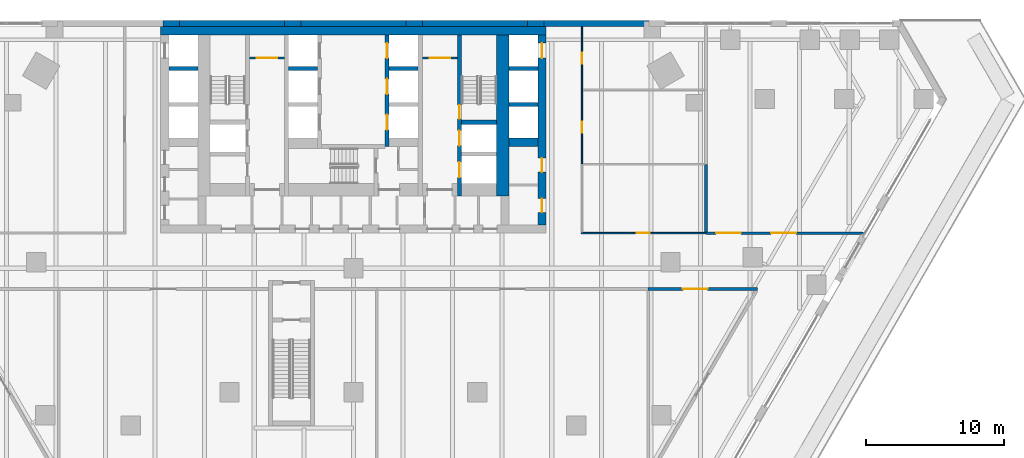
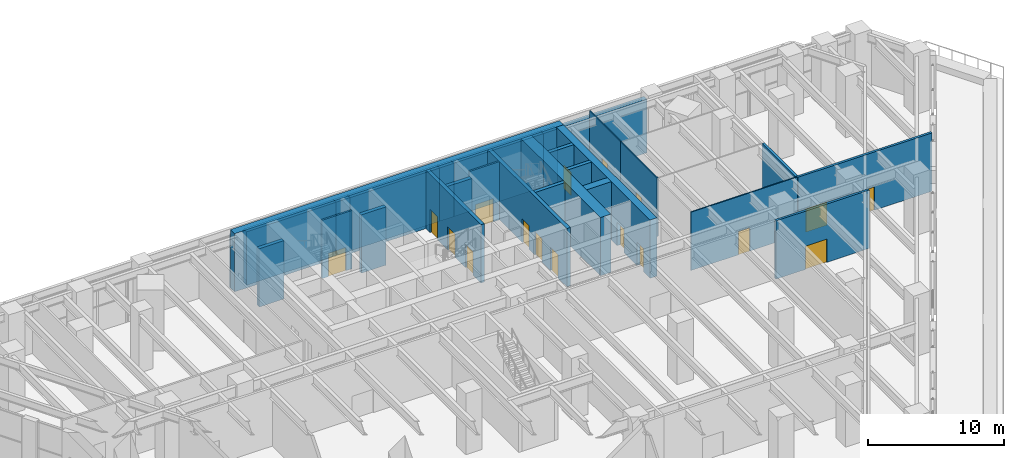
# One storey, part 24 of 30: 28 walls, 17 doors, 17 openings.
"""IFC4 building model written with IfcOpenShell, lengths in metres."""

from ifc_helpers import new_model, si_unit, direction, frame, frame_2d, origin, place, context, subcontext, project, spatial, rectangle, extrude, material, layer, layer_set, type_object, element, fill, save


model = new_model("IFC4")

# Units and contexts
model_context = context("Model", 3, precision=1e-05, world=origin(), true_north=direction((0.0, 1.0)))
body_context = subcontext(model_context, "Body", "Model", "MODEL_VIEW")
ifc_project = project(units=[si_unit("LENGTHUNIT", "METRE"), si_unit("AREAUNIT", "SQUARE_METRE"), si_unit("VOLUMEUNIT", "CUBIC_METRE"), si_unit("PLANEANGLEUNIT", "RADIAN"), si_unit("MASSUNIT", "GRAM", prefix="KILO")], contexts=[model_context])

# Site, building, storey
site_placement = place(None, origin())
site = spatial("IfcSite", under=ifc_project, at=site_placement, CompositionType="ELEMENT")
building_placement = place(site_placement, origin())
building = spatial("IfcBuilding", under=site, at=building_placement, Name="Aloe Facet Convention Tower", CompositionType="ELEMENT")
storey_placement = place(building_placement, frame((0.0, 0.0, 19.5)))
storey = spatial("IfcBuildingStorey", under=building, at=storey_placement, Name="L03", CompositionType="ELEMENT", Elevation=19.5)

# Wall, opening, door
ifc_material_1 = material(Name="Concrete blockwork partition", Category="masonry")
ifc_layer_1 = layer(ifc_material_1, 0.14990234375)
ifc_layer_set_1 = layer_set([ifc_layer_1], Name="CR-W-PART150")
wall_type_1 = type_object("IfcWallType", Name="CR-W-PART150", PredefinedType="PARTITIONING", material=ifc_layer_set_1)
wall_1_placement = place(storey_placement, frame((72.449951171875, 132.27490234375, 0.0), z_axis=(0.0, 0.0, 1.0), x_axis=(1.0, 0.0, 0.0)))
wall_1 = element("IfcWall", 1, at=wall_1_placement, inside=storey, type_object=wall_type_1, Name="Core partition L03-015", PredefinedType="PARTITIONING", context=body_context, shape_type="SweptSolid", body=[
    extrude(rectangle(XDim=2.550048828125, YDim=0.14990234375, at=frame_2d((1.27490234375, 0.0))), origin(), (0.0, 0.0, 1.0), 5.25),
])
opening_1_placement = place(wall_1_placement, frame((0.52490234375, 0.0, 0.0)))
opening_1 = element("IfcOpeningElement", 2, at=opening_1_placement, cuts=wall_1, Name="Opening L03-CD21", PredefinedType="OPENING", context=body_context, shape_type="SweptSolid", body=[
    extrude(rectangle(XDim=1.5, YDim=2.10009765625, at=frame_2d((0.75, 1.050048828125))), frame((0.0, 0.0849609375, 0.0), z_axis=(0.0, -1.0, 0.0), x_axis=(1.0, 0.0, 0.0)), (0.0, 0.0, 1.0), 0.169921875),
])
ifc_material_2 = material(Name="Steel fire-resisting door set FD60", Category="steel")
door_type_1 = type_object("IfcDoorType", Name="CR-D-REFUGE-1500-FD60-DD", OperationType="DOUBLE_DOOR_DOUBLE_SWING", PredefinedType="DOOR", material=ifc_material_2)
door_1_placement = place(opening_1_placement, origin())
door_1 = element("IfcDoor", 3, at=door_1_placement, inside=storey, type_object=door_type_1, Name="Core door L03-CD21", OperationType="DOUBLE_DOOR_DOUBLE_SWING", OverallHeight=2.10009765625, OverallWidth=1.5, PredefinedType="DOOR", context=body_context, shape_type="SweptSolid", body=[
    extrude(rectangle(XDim=1.5, YDim=2.10009765625, at=frame_2d((0.75, 1.050048828125))), frame((0.0, 0.02490234375, 0.0), z_axis=(0.0, -1.0, 0.0), x_axis=(1.0, 0.0, 0.0)), (0.0, 0.0, 1.0), 0.050048828125),
])
fill(opening_1, door_1)

wall_2_placement = place(storey_placement, frame((85.0, 132.27490234375, 0.0), z_axis=(0.0, 0.0, 1.0), x_axis=(1.0, 0.0, 0.0)))
wall_2 = element("IfcWall", 4, at=wall_2_placement, inside=storey, type_object=wall_type_1, Name="Core partition L03-039", PredefinedType="PARTITIONING", context=body_context, shape_type="SweptSolid", body=[
    extrude(rectangle(XDim=2.550048828125, YDim=0.14990234375, at=frame_2d((1.27490234375, 0.0))), origin(), (0.0, 0.0, 1.0), 5.25),
])
opening_2_placement = place(wall_2_placement, frame((0.52490234375, 0.0, 0.0)))
opening_2 = element("IfcOpeningElement", 5, at=opening_2_placement, cuts=wall_2, Name="Opening L03-CD20", PredefinedType="OPENING", context=body_context, shape_type="SweptSolid", body=[
    extrude(rectangle(XDim=1.5, YDim=2.10009765625, at=frame_2d((0.75, 1.050048828125))), frame((0.0, 0.0849609375, 0.0), z_axis=(0.0, -1.0, 0.0), x_axis=(1.0, 0.0, 0.0)), (0.0, 0.0, 1.0), 0.169921875),
])
door_2_placement = place(opening_2_placement, origin())
door_2 = element("IfcDoor", 6, at=door_2_placement, inside=storey, type_object=door_type_1, Name="Core door L03-CD20", OperationType="DOUBLE_DOOR_DOUBLE_SWING", OverallHeight=2.10009765625, OverallWidth=1.5, PredefinedType="DOOR", context=body_context, shape_type="SweptSolid", body=[
    extrude(rectangle(XDim=1.5, YDim=2.10009765625, at=frame_2d((0.75, 1.050048828125))), frame((0.0, 0.02490234375, 0.0), z_axis=(0.0, -1.0, 0.0), x_axis=(1.0, 0.0, 0.0)), (0.0, 0.0, 1.0), 0.050048828125),
])
fill(opening_2, door_2)

# Walls
ifc_material_3 = material(Name="Concrete C80/95", Category="concrete")
ifc_layer_2 = layer(ifc_material_3, 0.300048828125)
ifc_layer_set_2 = layer_set([ifc_layer_2], Name="CR-W-RC300-C8095")
wall_type_2 = type_object("IfcWallType", Name="CR-W-RC300-C8095", PredefinedType="SOLIDWALL", material=ifc_layer_set_2)
for number, where, z_axis, x_axis, name in (
    (7, (66.60009765625, 131.5, 0.0), (0.0, 0.0, 1.0), (1.0, 0.0, 0.0), "Core wall L03-004"),
    (8, (75.300048828125, 131.5, 0.0), (0.0, 0.0, 1.0), (1.0, 0.0, 0.0), "Core wall L03-020"),
):
    element("IfcWall", number, at=place(storey_placement, frame(where, z_axis=z_axis, x_axis=x_axis)), inside=storey, type_object=wall_type_2, Name=name, PredefinedType="SOLIDWALL", context=body_context, shape_type="SweptSolid", body=[
        extrude(rectangle(XDim=2.099853515625, YDim=0.300048828125, at=frame_2d((1.0498046875, 0.0))), origin(), (0.0, 0.0, 1.0), 5.25),
    ])

# Wall, openings, doors
wall_3_placement = place(storey_placement, frame((82.449951171875, 133.949951171875, 0.0), z_axis=(0.0, 0.0, 1.0), x_axis=(0.0, -1.0, 0.0)))
wall_3 = element("IfcWall", 9, at=wall_3_placement, inside=storey, type_object=wall_type_2, Name="Core wall L03-031", PredefinedType="SOLIDWALL", context=body_context, shape_type="SweptSolid", body=[
    extrude(rectangle(XDim=8.099853515625, YDim=0.300048828125, at=frame_2d((4.0498046875, 0.0))), origin(), (0.0, 0.0, 1.0), 5.25),
])
opening_3_placement = place(wall_3_placement, frame((0.60009765625, 0.0, 0.0)))
opening_3 = element("IfcOpeningElement", 10, at=opening_3_placement, cuts=wall_3, Name="Opening LD-A4-L03", PredefinedType="OPENING", context=body_context, shape_type="SweptSolid", body=[
    extrude(rectangle(XDim=1.10009765625, YDim=2.10009765625, at=frame_2d((0.550048828125, 1.050048828125))), frame((0.0, 0.16015625, 0.0), z_axis=(0.0, -1.0, 0.0), x_axis=(1.0, 0.0, 0.0)), (0.0, 0.0, 1.0), 0.320068359375),
])
opening_4_placement = place(wall_3_placement, frame((3.199951171875, 0.0, 0.0)))
opening_4 = element("IfcOpeningElement", 11, at=opening_4_placement, cuts=wall_3, Name="Opening LD-A5-L03", PredefinedType="OPENING", context=body_context, shape_type="SweptSolid", body=[
    extrude(rectangle(XDim=1.10009765625, YDim=2.10009765625, at=frame_2d((0.550048828125, 1.050048828125))), frame((0.0, 0.16015625, 0.0), z_axis=(0.0, -1.0, 0.0), x_axis=(1.0, 0.0, 0.0)), (0.0, 0.0, 1.0), 0.320068359375),
])
opening_5_placement = place(wall_3_placement, frame((5.800048828125, 0.0, 0.0)))
opening_5 = element("IfcOpeningElement", 12, at=opening_5_placement, cuts=wall_3, Name="Opening LD-A6-L03", PredefinedType="OPENING", context=body_context, shape_type="SweptSolid", body=[
    extrude(rectangle(XDim=1.10009765625, YDim=2.10009765625, at=frame_2d((0.550048828125, 1.050048828125))), frame((0.0, 0.16015625, 0.0), z_axis=(0.0, -1.0, 0.0), x_axis=(1.0, 0.0, 0.0)), (0.0, 0.0, 1.0), 0.320068359375),
])
ifc_material_4 = material(Name="Stainless steel sliding landing door", Category="steel")
door_type_2 = type_object("IfcDoorType", Name="CR-LD-1100-FD60-_LEFT", OperationType="SLIDING_TO_LEFT", PredefinedType="DOOR", material=ifc_material_4)
door_3_placement = place(opening_3_placement, origin())
door_3 = element("IfcDoor", 13, at=door_3_placement, inside=storey, type_object=door_type_2, Name="Landing door A4 L03", OperationType="SLIDING_TO_LEFT", OverallHeight=2.10009765625, OverallWidth=1.10009765625, PredefinedType="DOOR", context=body_context, shape_type="SweptSolid", body=[
    extrude(rectangle(XDim=1.10009765625, YDim=2.10009765625, at=frame_2d((0.550048828125, 1.050048828125))), frame((0.0, 0.02490234375, 0.0), z_axis=(0.0, -1.0, 0.0), x_axis=(1.0, 0.0, 0.0)), (0.0, 0.0, 1.0), 0.050048828125),
])
fill(opening_3, door_3)
door_4_placement = place(opening_4_placement, origin())
door_4 = element("IfcDoor", 14, at=door_4_placement, inside=storey, type_object=door_type_2, Name="Landing door A5 L03", OperationType="SLIDING_TO_LEFT", OverallHeight=2.10009765625, OverallWidth=1.10009765625, PredefinedType="DOOR", context=body_context, shape_type="SweptSolid", body=[
    extrude(rectangle(XDim=1.10009765625, YDim=2.10009765625, at=frame_2d((0.550048828125, 1.050048828125))), frame((0.0, 0.02490234375, 0.0), z_axis=(0.0, -1.0, 0.0), x_axis=(1.0, 0.0, 0.0)), (0.0, 0.0, 1.0), 0.050048828125),
])
fill(opening_4, door_4)
door_5_placement = place(opening_5_placement, origin())
door_5 = element("IfcDoor", 15, at=door_5_placement, inside=storey, type_object=door_type_2, Name="Landing door A6 L03", OperationType="SLIDING_TO_LEFT", OverallHeight=2.10009765625, OverallWidth=1.10009765625, PredefinedType="DOOR", context=body_context, shape_type="SweptSolid", body=[
    extrude(rectangle(XDim=1.10009765625, YDim=2.10009765625, at=frame_2d((0.550048828125, 1.050048828125))), frame((0.0, 0.02490234375, 0.0), z_axis=(0.0, -1.0, 0.0), x_axis=(1.0, 0.0, 0.0)), (0.0, 0.0, 1.0), 0.050048828125),
])
fill(opening_5, door_5)

# Wall
wall_4_placement = place(storey_placement, frame((82.60009765625, 131.5, 0.0), z_axis=(0.0, 0.0, 1.0), x_axis=(1.0, 0.0, 0.0)))
element("IfcWall", 16, at=wall_4_placement, inside=storey, type_object=wall_type_2, Name="Core wall L03-032", PredefinedType="SOLIDWALL", context=body_context, shape_type="SweptSolid", body=[
    extrude(rectangle(XDim=2.099853515625, YDim=0.300048828125, at=frame_2d((1.0498046875, 0.0))), origin(), (0.0, 0.0, 1.0), 5.25),
])

# Wall, openings, doors
wall_5_placement = place(storey_placement, frame((87.699951171875, 133.949951171875, 0.0), z_axis=(0.0, 0.0, 1.0), x_axis=(0.0, -1.0, 0.0)))
wall_5 = element("IfcWall", 17, at=wall_5_placement, inside=storey, type_object=wall_type_2, Name="Core wall L03-043", PredefinedType="SOLIDWALL", context=body_context, shape_type="SweptSolid", body=[
    extrude(rectangle(XDim=11.699951171875, YDim=0.300048828125, at=frame_2d((5.85009765625, 0.0))), origin(), (0.0, 0.0, 1.0), 5.25),
])
opening_6_placement = place(wall_5_placement, frame((6.949951171875, 0.0, 0.0)))
opening_6 = element("IfcOpeningElement", 18, at=opening_6_placement, cuts=wall_5, Name="Opening LD-FF2-L03", PredefinedType="OPENING", context=body_context, shape_type="SweptSolid", body=[
    extrude(rectangle(XDim=1.10009765625, YDim=2.10009765625, at=frame_2d((0.550048828125, 1.050048828125))), frame((0.0, 0.16015625, 0.0), z_axis=(0.0, -1.0, 0.0), x_axis=(1.0, 0.0, 0.0)), (0.0, 0.0, 1.0), 0.320068359375),
])
opening_7_placement = place(wall_5_placement, frame((5.10009765625, 0.0, 0.0)))
opening_7 = element("IfcOpeningElement", 19, at=opening_7_placement, cuts=wall_5, Name="Opening L03-CD31", PredefinedType="OPENING", context=body_context, shape_type="SweptSolid", body=[
    extrude(rectangle(XDim=1.0, YDim=2.10009765625, at=frame_2d((0.5, 1.050048828125))), frame((0.0, 0.16015625, 0.0), z_axis=(0.0, -1.0, 0.0), x_axis=(1.0, 0.0, 0.0)), (0.0, 0.0, 1.0), 0.320068359375),
])
opening_8_placement = place(wall_5_placement, frame((9.25, 0.0, 0.0)))
opening_8 = element("IfcOpeningElement", 20, at=opening_8_placement, cuts=wall_5, Name="Opening LD-SV1-L03", PredefinedType="OPENING", context=body_context, shape_type="SweptSolid", body=[
    extrude(rectangle(XDim=1.10009765625, YDim=2.10009765625, at=frame_2d((0.550048828125, 1.050048828125))), frame((0.0, 0.16015625, 0.0), z_axis=(0.0, -1.0, 0.0), x_axis=(1.0, 0.0, 0.0)), (0.0, 0.0, 1.0), 0.320068359375),
])
ifc_material_5 = material(Name="Steel fire-resisting door set FD120", Category="steel")
door_type_3 = type_object("IfcDoorType", Name="CR-D-STAIR-1000-FD120-SLEFT", OperationType="SINGLE_SWING_LEFT", PredefinedType="DOOR", material=ifc_material_5)
door_6_placement = place(opening_7_placement, origin())
door_6 = element("IfcDoor", 21, at=door_6_placement, inside=storey, type_object=door_type_3, Name="Core door L03-CD31", OperationType="SINGLE_SWING_LEFT", OverallHeight=2.10009765625, OverallWidth=1.0, PredefinedType="DOOR", context=body_context, shape_type="SweptSolid", body=[
    extrude(rectangle(XDim=1.0, YDim=2.10009765625, at=frame_2d((0.5, 1.050048828125))), frame((0.0, 0.02490234375, 0.0), z_axis=(0.0, -1.0, 0.0), x_axis=(1.0, 0.0, 0.0)), (0.0, 0.0, 1.0), 0.050048828125),
])
fill(opening_7, door_6)
ifc_material_6 = material(Name="Stainless steel sliding landing door", Category="steel")
door_type_4 = type_object("IfcDoorType", Name="CR-LD-1100-FD120-_LEFT", OperationType="SLIDING_TO_LEFT", PredefinedType="DOOR", material=ifc_material_6)
door_7_placement = place(opening_6_placement, origin())
door_7 = element("IfcDoor", 22, at=door_7_placement, inside=storey, type_object=door_type_4, Name="Landing door FF2 L03", OperationType="SLIDING_TO_LEFT", OverallHeight=2.10009765625, OverallWidth=1.10009765625, PredefinedType="DOOR", context=body_context, shape_type="SweptSolid", body=[
    extrude(rectangle(XDim=1.10009765625, YDim=2.10009765625, at=frame_2d((0.550048828125, 1.050048828125))), frame((0.0, 0.02490234375, 0.0), z_axis=(0.0, -1.0, 0.0), x_axis=(1.0, 0.0, 0.0)), (0.0, 0.0, 1.0), 0.050048828125),
])
fill(opening_6, door_7)
door_8_placement = place(opening_8_placement, origin())
door_8 = element("IfcDoor", 23, at=door_8_placement, inside=storey, type_object=door_type_4, Name="Landing door SV1 L03", OperationType="SLIDING_TO_LEFT", OverallHeight=2.10009765625, OverallWidth=1.10009765625, PredefinedType="DOOR", context=body_context, shape_type="SweptSolid", body=[
    extrude(rectangle(XDim=1.10009765625, YDim=2.10009765625, at=frame_2d((0.550048828125, 1.050048828125))), frame((0.0, 0.02490234375, 0.0), z_axis=(0.0, -1.0, 0.0), x_axis=(1.0, 0.0, 0.0)), (0.0, 0.0, 1.0), 0.050048828125),
])
fill(opening_8, door_8)

# Walls
wall_6_placement = place(storey_placement, frame((87.85009765625, 127.60009765625, 0.0), z_axis=(0.0, 0.0, 1.0), x_axis=(1.0, 0.0, 0.0)))
element("IfcWall", 24, at=wall_6_placement, inside=storey, type_object=wall_type_2, Name="Core wall L03-044", PredefinedType="SOLIDWALL", context=body_context, shape_type="SweptSolid", body=[
    extrude(rectangle(XDim=2.5498046875, YDim=0.300048828125, at=frame_2d((1.27490234375, 0.0))), origin(), (0.0, 0.0, 1.0), 5.25),
])
for number, where, z_axis, x_axis, name in (
    (25, (91.300048828125, 131.5, 0.0), (0.0, 0.0, 1.0), (1.0, 0.0, 0.0), "Core wall L03-050"),
    (26, (91.300048828125, 128.89990234375, 0.0), (0.0, 0.0, 1.0), (1.0, 0.0, 0.0), "Core wall L03-051"),
):
    element("IfcWall", number, at=place(storey_placement, frame(where, z_axis=z_axis, x_axis=x_axis)), inside=storey, type_object=wall_type_2, Name=name, PredefinedType="SOLIDWALL", context=body_context, shape_type="SweptSolid", body=[
        extrude(rectangle(XDim=2.099853515625, YDim=0.300048828125, at=frame_2d((1.0498046875, 0.0))), origin(), (0.0, 0.0, 1.0), 5.25),
    ])
ifc_material_7 = material(Name="Concrete C80/95", Category="concrete")
ifc_layer_3 = layer(ifc_material_7, 0.60009765625)
ifc_layer_set_3 = layer_set([ifc_layer_3], Name="CR-W-RC600-C8095")
wall_type_3 = type_object("IfcWallType", Name="CR-W-RC600-C8095", PredefinedType="SOLIDWALL", material=ifc_layer_set_3)
wall_7_placement = place(storey_placement, frame((66.0, 134.25, 0.0), z_axis=(0.0, 0.0, 1.0), x_axis=(1.0, 0.0, 0.0)))
element("IfcWall", 27, at=wall_7_placement, inside=storey, type_object=wall_type_3, Name="Core wall L03-001", PredefinedType="SOLIDWALL", context=body_context, shape_type="SweptSolid", body=[
    extrude(rectangle(XDim=28.0, YDim=0.60009765625, at=frame_2d((14.0, 0.0))), origin(), (0.0, 0.0, 1.0), 5.25),
])
wall_8_placement = place(storey_placement, frame((91.300048828125, 126.14990234375, 0.0), z_axis=(0.0, 0.0, 1.0), x_axis=(1.0, 0.0, 0.0)))
element("IfcWall", 28, at=wall_8_placement, inside=storey, type_object=wall_type_3, Name="Core wall L03-052", PredefinedType="SOLIDWALL", context=body_context, shape_type="SweptSolid", body=[
    extrude(rectangle(XDim=2.099853515625, YDim=0.60009765625, at=frame_2d((1.0498046875, 0.0))), origin(), (0.0, 0.0, 1.0), 5.25),
])

# Wall, openings, doors
wall_9_placement = place(storey_placement, frame((93.699951171875, 133.949951171875, 0.0), z_axis=(0.0, 0.0, 1.0), x_axis=(0.0, -1.0, 0.0)))
wall_9 = element("IfcWall", 29, at=wall_9_placement, inside=storey, type_object=wall_type_3, Name="Core wall L03-054", PredefinedType="SOLIDWALL", context=body_context, shape_type="SweptSolid", body=[
    extrude(rectangle(XDim=13.800048828125, YDim=0.60009765625, at=frame_2d((6.89990234375, 0.0))), origin(), (0.0, 0.0, 1.0), 5.25),
])
opening_9_placement = place(wall_9_placement, frame((0.60009765625, 0.0, 0.0)))
opening_9 = element("IfcOpeningElement", 30, at=opening_9_placement, cuts=wall_9, Name="Opening LD-A8-L03", PredefinedType="OPENING", context=body_context, shape_type="SweptSolid", body=[
    extrude(rectangle(XDim=1.10009765625, YDim=2.10009765625, at=frame_2d((0.550048828125, 1.050048828125))), frame((0.0, 0.31005859375, 0.0), z_axis=(0.0, -1.0, 0.0), x_axis=(1.0, 0.0, 0.0)), (0.0, 0.0, 1.0), 0.6201171875),
])
opening_10_placement = place(wall_9_placement, frame((8.963134765625, 0.0, 0.0)))
opening_10 = element("IfcOpeningElement", 31, at=opening_10_placement, cuts=wall_9, Name="Opening L03-CD09", PredefinedType="OPENING", context=body_context, shape_type="SweptSolid", body=[
    extrude(rectangle(XDim=1.0, YDim=2.10009765625, at=frame_2d((0.5, 1.050048828125))), frame((0.0, 0.31005859375, 0.0), z_axis=(0.0, -1.0, 0.0), x_axis=(1.0, 0.0, 0.0)), (0.0, 0.0, 1.0), 0.6201171875),
])
opening_11_placement = place(wall_9_placement, frame((11.88818359375, 0.0, 0.0)))
opening_11 = element("IfcOpeningElement", 32, at=opening_11_placement, cuts=wall_9, Name="Opening L03-CD10", PredefinedType="OPENING", context=body_context, shape_type="SweptSolid", body=[
    extrude(rectangle(XDim=1.0, YDim=2.10009765625, at=frame_2d((0.5, 1.050048828125))), frame((0.0, 0.31005859375, 0.0), z_axis=(0.0, -1.0, 0.0), x_axis=(1.0, 0.0, 0.0)), (0.0, 0.0, 1.0), 0.6201171875),
])
ifc_material_8 = material(Name="Steel fire-resisting door set FD60", Category="steel")
door_type_5 = type_object("IfcDoorType", Name="CR-D-ROOM-1000-FD60-SLEFT", OperationType="SINGLE_SWING_LEFT", PredefinedType="DOOR", material=ifc_material_8)
door_9_placement = place(opening_10_placement, origin())
door_9 = element("IfcDoor", 33, at=door_9_placement, inside=storey, type_object=door_type_5, Name="Core door L03-CD09", OperationType="SINGLE_SWING_LEFT", OverallHeight=2.10009765625, OverallWidth=1.0, PredefinedType="DOOR", context=body_context, shape_type="SweptSolid", body=[
    extrude(rectangle(XDim=1.0, YDim=2.10009765625, at=frame_2d((0.5, 1.050048828125))), frame((0.0, 0.02490234375, 0.0), z_axis=(0.0, -1.0, 0.0), x_axis=(1.0, 0.0, 0.0)), (0.0, 0.0, 1.0), 0.050048828125),
])
fill(opening_10, door_9)
door_10_placement = place(opening_11_placement, origin())
door_10 = element("IfcDoor", 34, at=door_10_placement, inside=storey, type_object=door_type_5, Name="Core door L03-CD10", OperationType="SINGLE_SWING_LEFT", OverallHeight=2.10009765625, OverallWidth=1.0, PredefinedType="DOOR", context=body_context, shape_type="SweptSolid", body=[
    extrude(rectangle(XDim=1.0, YDim=2.10009765625, at=frame_2d((0.5, 1.050048828125))), frame((0.0, 0.02490234375, 0.0), z_axis=(0.0, -1.0, 0.0), x_axis=(1.0, 0.0, 0.0)), (0.0, 0.0, 1.0), 0.050048828125),
])
fill(opening_11, door_10)
door_11_placement = place(opening_9_placement, origin())
door_11 = element("IfcDoor", 35, at=door_11_placement, inside=storey, type_object=door_type_2, Name="Landing door A8 L03", OperationType="SLIDING_TO_LEFT", OverallHeight=2.10009765625, OverallWidth=1.10009765625, PredefinedType="DOOR", context=body_context, shape_type="SweptSolid", body=[
    extrude(rectangle(XDim=1.10009765625, YDim=2.10009765625, at=frame_2d((0.550048828125, 1.050048828125))), frame((0.0, 0.02490234375, 0.0), z_axis=(0.0, -1.0, 0.0), x_axis=(1.0, 0.0, 0.0)), (0.0, 0.0, 1.0), 0.050048828125),
])
fill(opening_9, door_11)

# Walls
ifc_material_9 = material(Name="Concrete C80/95", Category="concrete")
ifc_layer_4 = layer(ifc_material_9, 0.89990234375)
ifc_layer_set_4 = layer_set([ifc_layer_4], Name="CR-W-RC900-C8095")
wall_type_4 = type_object("IfcWallType", Name="CR-W-RC900-C8095", PredefinedType="SOLIDWALL", material=ifc_layer_set_4)
wall_10_placement = place(storey_placement, frame((90.85009765625, 133.949951171875, 0.0), z_axis=(0.0, 0.0, 1.0), x_axis=(0.0, -1.0, 0.0)))
element("IfcWall", 36, at=wall_10_placement, inside=storey, type_object=wall_type_4, Name="Core wall L03-048", PredefinedType="SOLIDWALL", context=body_context, shape_type="SweptSolid", body=[
    extrude(rectangle(XDim=11.699951171875, YDim=0.89990234375, at=frame_2d((5.85009765625, 0.0))), origin(), (0.0, 0.0, 1.0), 5.25),
])
ifc_material_10 = material(Name="Precast concrete C40/50", Category="concrete")
ifc_layer_5 = layer(ifc_material_10, 0.449951171875)
ifc_layer_set_5 = layer_set([ifc_layer_5], Name="EV-WALL-STONE")
wall_type_5 = type_object("IfcWallType", Name="EV-WALL-STONE", PredefinedType="SOLIDWALL", material=ifc_layer_set_5)
wall_11_placement = place(storey_placement, frame((101.467041015625, 134.77490234375, -0.25), z_axis=(0.0, 0.0, 1.0), x_axis=(-1.0, 0.0, 0.0)))
element("IfcWall", 37, at=wall_11_placement, inside=storey, type_object=wall_type_5, Name="PW-L03-N06", PredefinedType="SOLIDWALL", context=body_context, shape_type="SweptSolid", body=[
    extrude(rectangle(XDim=7.626953125, YDim=0.449951171875, at=frame_2d((3.8134765625, 0.0))), origin(), (0.0, 0.0, 1.0), 4.8125),
])
wall_12_placement = place(storey_placement, frame((93.840087890625, 134.77490234375, -0.25), z_axis=(0.0, 0.0, 1.0), x_axis=(-1.0, 0.0, 0.0)))
element("IfcWall", 38, at=wall_12_placement, inside=storey, type_object=wall_type_5, Name="PW-L03-N07", PredefinedType="SOLIDWALL", context=body_context, shape_type="SweptSolid", body=[
    extrude(rectangle(XDim=1.199951171875, YDim=0.449951171875, at=frame_2d((0.60009765625, 0.0))), origin(), (0.0, 0.0, 1.0), 4.8125),
])
wall_13_placement = place(storey_placement, frame((92.64013671875, 134.77490234375, -0.25), z_axis=(0.0, 0.0, 1.0), x_axis=(-1.0, 0.0, 0.0)))
element("IfcWall", 39, at=wall_13_placement, inside=storey, type_object=wall_type_5, Name="PW-L03-N08", PredefinedType="SOLIDWALL", context=body_context, shape_type="SweptSolid", body=[
    extrude(rectangle(XDim=7.626708984375, YDim=0.449951171875, at=frame_2d((3.8134765625, 0.0))), origin(), (0.0, 0.0, 1.0), 4.8125),
])
wall_14_placement = place(storey_placement, frame((85.013427734375, 134.77490234375, -0.25), z_axis=(0.0, 0.0, 1.0), x_axis=(-1.0, 0.0, 0.0)))
element("IfcWall", 40, at=wall_14_placement, inside=storey, type_object=wall_type_5, Name="PW-L03-N09", PredefinedType="SOLIDWALL", context=body_context, shape_type="SweptSolid", body=[
    extrude(rectangle(XDim=1.199951171875, YDim=0.449951171875, at=frame_2d((0.60009765625, 0.0))), origin(), (0.0, 0.0, 1.0), 4.8125),
])
wall_15_placement = place(storey_placement, frame((83.8134765625, 134.77490234375, -0.25), z_axis=(0.0, 0.0, 1.0), x_axis=(-1.0, 0.0, 0.0)))
element("IfcWall", 41, at=wall_15_placement, inside=storey, type_object=wall_type_5, Name="PW-L03-N10", PredefinedType="SOLIDWALL", context=body_context, shape_type="SweptSolid", body=[
    extrude(rectangle(XDim=7.626953125, YDim=0.449951171875, at=frame_2d((3.8134765625, 0.0))), origin(), (0.0, 0.0, 1.0), 4.8125),
])
wall_16_placement = place(storey_placement, frame((76.1865234375, 134.77490234375, -0.25), z_axis=(0.0, 0.0, 1.0), x_axis=(-1.0, 0.0, 0.0)))
element("IfcWall", 42, at=wall_16_placement, inside=storey, type_object=wall_type_5, Name="PW-L03-N11", PredefinedType="SOLIDWALL", context=body_context, shape_type="SweptSolid", body=[
    extrude(rectangle(XDim=1.199951171875, YDim=0.449951171875, at=frame_2d((0.60009765625, 0.0))), origin(), (0.0, 0.0, 1.0), 4.8125),
])
wall_17_placement = place(storey_placement, frame((74.986572265625, 134.77490234375, -0.25), z_axis=(0.0, 0.0, 1.0), x_axis=(-1.0, 0.0, 0.0)))
element("IfcWall", 43, at=wall_17_placement, inside=storey, type_object=wall_type_5, Name="PW-L03-N12", PredefinedType="SOLIDWALL", context=body_context, shape_type="SweptSolid", body=[
    extrude(rectangle(XDim=7.626708984375, YDim=0.449951171875, at=frame_2d((3.8134765625, 0.0))), origin(), (0.0, 0.0, 1.0), 4.8125),
])
wall_18_placement = place(storey_placement, frame((67.35986328125, 134.77490234375, -0.25), z_axis=(0.0, 0.0, 1.0), x_axis=(-1.0, 0.0, 0.0)))
element("IfcWall", 44, at=wall_18_placement, inside=storey, type_object=wall_type_5, Name="PW-L03-N13", PredefinedType="SOLIDWALL", context=body_context, shape_type="SweptSolid", body=[
    extrude(rectangle(XDim=1.199951171875, YDim=0.449951171875, at=frame_2d((0.60009765625, 0.0))), origin(), (0.0, 0.0, 1.0), 4.8125),
])

# Wall, opening, door
ifc_material_11 = material(Name="Masonry blockwork wall, plastered", Category="masonry")
ifc_layer_6 = layer(ifc_material_11, 0.199951171875)
ifc_layer_set_6 = layer_set([ifc_layer_6], Name="IN-POD-W-ASSY")
wall_type_6 = type_object("IfcWallType", Name="IN-POD-W-ASSY", PredefinedType="PARTITIONING", material=ifc_layer_set_6)
wall_19_placement = place(storey_placement, frame((101.39990234375, 115.5, 0.0), z_axis=(0.0, 0.0, 1.0), x_axis=(1.0, 0.0, 0.0)))
wall_19 = element("IfcWall", 45, at=wall_19_placement, inside=storey, type_object=wall_type_6, Name="Partition L03-W029", PredefinedType="PARTITIONING", context=body_context, shape_type="SweptSolid", body=[
    extrude(rectangle(XDim=7.946533203125, YDim=0.199951171875, at=frame_2d((3.97314453125, 0.0))), origin(), (0.0, 0.0, 1.0), 5.25),
])
opening_12_placement = place(wall_19_placement, frame((2.5185546875, 0.0, 0.0)))
opening_12 = element("IfcOpeningElement", 46, at=opening_12_placement, cuts=wall_19, Name="Opening L03-015", PredefinedType="OPENING", context=body_context, shape_type="SweptSolid", body=[
    extrude(rectangle(XDim=1.800048828125, YDim=2.10009765625, at=frame_2d((0.89990234375, 1.050048828125))), frame((0.0, 0.10986328125, 0.0), z_axis=(0.0, -1.0, 0.0), x_axis=(1.0, 0.0, 0.0)), (0.0, 0.0, 1.0), 0.219970703125),
])
ifc_material_12 = material(Name="Hardwood flush door pair", Category="wood")
door_type_6 = type_object("IfcDoorType", Name="IN-POD-D-PAIR", OperationType="DOUBLE_DOOR_SINGLE_SWING", PredefinedType="DOOR", material=ifc_material_12)
door_12_placement = place(opening_12_placement, origin())
door_12 = element("IfcDoor", 47, at=door_12_placement, inside=storey, type_object=door_type_6, Name="Door L03-015", OperationType="SINGLE_SWING_LEFT", OverallHeight=2.10009765625, OverallWidth=1.800048828125, PredefinedType="DOOR", context=body_context, shape_type="SweptSolid", body=[
    extrude(rectangle(XDim=1.800048828125, YDim=2.10009765625, at=frame_2d((0.89990234375, 1.050048828125))), frame((0.0, 0.02490234375, 0.0), z_axis=(0.0, -1.0, 0.0), x_axis=(1.0, 0.0, 0.0)), (0.0, 0.0, 1.0), 0.050048828125),
])
fill(opening_12, door_12)

# Wall, openings, doors
wall_20_placement = place(storey_placement, frame((105.590087890625, 119.550048828125, 0.0), z_axis=(0.0, 0.0, 1.0), x_axis=(1.0, 0.0, 0.0)))
wall_20 = element("IfcWall", 48, at=wall_20_placement, inside=storey, type_object=wall_type_6, Name="Partition L03-W036", PredefinedType="PARTITIONING", context=body_context, shape_type="SweptSolid", body=[
    extrude(rectangle(XDim=11.438232421875, YDim=0.199951171875, at=frame_2d((5.71923828125, 0.0))), origin(), (0.0, 0.0, 1.0), 5.25),
])
opening_13_placement = place(wall_20_placement, frame((4.745361328125, 0.0, 0.0)))
opening_13 = element("IfcOpeningElement", 49, at=opening_13_placement, cuts=wall_20, Name="Opening L03-004", PredefinedType="OPENING", context=body_context, shape_type="SweptSolid", body=[
    extrude(rectangle(XDim=1.800048828125, YDim=2.10009765625, at=frame_2d((0.89990234375, 1.050048828125))), frame((0.0, 0.10986328125, 0.0), z_axis=(0.0, -1.0, 0.0), x_axis=(1.0, 0.0, 0.0)), (0.0, 0.0, 1.0), 0.219970703125),
])
opening_14_placement = place(wall_20_placement, frame((0.74462890625, 0.0, 0.0)))
opening_14 = element("IfcOpeningElement", 50, at=opening_14_placement, cuts=wall_20, Name="Opening L03-005", PredefinedType="OPENING", context=body_context, shape_type="SweptSolid", body=[
    extrude(rectangle(XDim=1.800048828125, YDim=2.10009765625, at=frame_2d((0.89990234375, 1.050048828125))), frame((0.0, 0.10986328125, 0.0), z_axis=(0.0, -1.0, 0.0), x_axis=(1.0, 0.0, 0.0)), (0.0, 0.0, 1.0), 0.219970703125),
])
door_13_placement = place(opening_13_placement, origin())
door_13 = element("IfcDoor", 51, at=door_13_placement, inside=storey, type_object=door_type_6, Name="Door L03-004", OperationType="SINGLE_SWING_LEFT", OverallHeight=2.10009765625, OverallWidth=1.800048828125, PredefinedType="DOOR", context=body_context, shape_type="SweptSolid", body=[
    extrude(rectangle(XDim=1.800048828125, YDim=2.10009765625, at=frame_2d((0.89990234375, 1.050048828125))), frame((0.0, 0.02490234375, 0.0), z_axis=(0.0, -1.0, 0.0), x_axis=(1.0, 0.0, 0.0)), (0.0, 0.0, 1.0), 0.050048828125),
])
fill(opening_13, door_13)
door_14_placement = place(opening_14_placement, origin())
door_14 = element("IfcDoor", 52, at=door_14_placement, inside=storey, type_object=door_type_6, Name="Door L03-005", OperationType="SINGLE_SWING_LEFT", OverallHeight=2.10009765625, OverallWidth=1.800048828125, PredefinedType="DOOR", context=body_context, shape_type="SweptSolid", body=[
    extrude(rectangle(XDim=1.800048828125, YDim=2.10009765625, at=frame_2d((0.89990234375, 1.050048828125))), frame((0.0, 0.02490234375, 0.0), z_axis=(0.0, -1.0, 0.0), x_axis=(1.0, 0.0, 0.0)), (0.0, 0.0, 1.0), 0.050048828125),
])
fill(opening_14, door_14)

# Wall
wall_21_placement = place(storey_placement, frame((105.590087890625, 119.635009765625, 0.0), z_axis=(0.0, 0.0, 1.0), x_axis=(0.002036554489, 0.999997926221, 0.0)))
element("IfcWall", 53, at=wall_21_placement, inside=storey, type_object=wall_type_6, Name="Partition L03-W037", PredefinedType="PARTITIONING", context=body_context, shape_type="SweptSolid", body=[
    extrude(rectangle(XDim=4.9150390625, YDim=0.199951171875, at=frame_2d((2.45751953125, 0.0))), origin(), (0.0, 0.0, 1.0), 5.25),
])

# Wall, opening, door
ifc_material_13 = material(Name="Gypsum board partition on steel studs, moisture resistant", Category="steel")
ifc_layer_7 = layer(ifc_material_13, 0.10009765625)
ifc_layer_set_7 = layer_set([ifc_layer_7], Name="IN-POD-W-WET")
wall_type_7 = type_object("IfcWallType", Name="IN-POD-W-WET", PredefinedType="PARTITIONING", material=ifc_layer_set_7)
wall_22_placement = place(storey_placement, frame((96.525390625, 119.550048828125, 0.0), z_axis=(0.0, 0.0, 1.0), x_axis=(1.0, 0.0, 0.0)))
wall_22 = element("IfcWall", 54, at=wall_22_placement, inside=storey, type_object=wall_type_7, Name="Partition L03-W035", PredefinedType="PARTITIONING", context=body_context, shape_type="SweptSolid", body=[
    extrude(rectangle(XDim=9.064697265625, YDim=0.10009765625, at=frame_2d((4.5322265625, 0.0))), origin(), (0.0, 0.0, 1.0), 5.25),
])
opening_15_placement = place(wall_22_placement, frame((4.05712890625, 0.0, 0.0)))
opening_15 = element("IfcOpeningElement", 55, at=opening_15_placement, cuts=wall_22, Name="Opening L03-001", PredefinedType="OPENING", context=body_context, shape_type="SweptSolid", body=[
    extrude(rectangle(XDim=0.949951171875, YDim=2.10009765625, at=frame_2d((0.47509765625, 1.050048828125))), frame((0.0, 0.06005859375, 0.0), z_axis=(0.0, -1.0, 0.0), x_axis=(1.0, 0.0, 0.0)), (0.0, 0.0, 1.0), 0.1201171875),
])
ifc_material_14 = material(Name="Hardwood flush door, 950 mm clear leaf", Category="wood")
door_type_7 = type_object("IfcDoorType", Name="IN-POD-D-ACC", OperationType="SINGLE_SWING_LEFT", PredefinedType="DOOR", material=ifc_material_14)
door_15_placement = place(opening_15_placement, origin())
door_15 = element("IfcDoor", 56, at=door_15_placement, inside=storey, type_object=door_type_7, Name="Door L03-001", OperationType="SINGLE_SWING_LEFT", OverallHeight=2.10009765625, OverallWidth=0.949951171875, PredefinedType="DOOR", context=body_context, shape_type="SweptSolid", body=[
    extrude(rectangle(XDim=0.949951171875, YDim=2.10009765625, at=frame_2d((0.47509765625, 1.050048828125))), frame((0.0, 0.02490234375, 0.0), z_axis=(0.0, -1.0, 0.0), x_axis=(1.0, 0.0, 0.0)), (0.0, 0.0, 1.0), 0.050048828125),
])
fill(opening_15, door_15)

wall_23_placement = place(storey_placement, frame((96.60009765625, 124.550048828125, 0.0), z_axis=(0.0, 0.0, 1.0), x_axis=(0.0, 1.0, 0.0)))
wall_23 = element("IfcWall", 57, at=wall_23_placement, inside=storey, type_object=wall_type_7, Name="Partition L03-W043", PredefinedType="PARTITIONING", context=body_context, shape_type="SweptSolid", body=[
    extrude(rectangle(XDim=5.39990234375, YDim=0.10009765625, at=frame_2d((2.699951171875, 0.0))), origin(), (0.0, 0.0, 1.0), 5.25),
])
opening_16_placement = place(wall_23_placement, frame((2.300048828125, 0.0, 0.0)))
opening_16 = element("IfcOpeningElement", 58, at=opening_16_placement, cuts=wall_23, Name="Opening L03-002", PredefinedType="OPENING", context=body_context, shape_type="SweptSolid", body=[
    extrude(rectangle(XDim=0.800048828125, YDim=2.10009765625, at=frame_2d((0.39990234375, 1.050048828125))), frame((0.0, 0.06005859375, 0.0), z_axis=(0.0, -1.0, 0.0), x_axis=(1.0, 0.0, 0.0)), (0.0, 0.0, 1.0), 0.1201171875),
])
ifc_material_15 = material(Name="Timber flush door", Category="wood")
door_type_8 = type_object("IfcDoorType", Name="IN-POD-D-WC", OperationType="SINGLE_SWING_LEFT", PredefinedType="DOOR", material=ifc_material_15)
door_16_placement = place(opening_16_placement, origin())
door_16 = element("IfcDoor", 59, at=door_16_placement, inside=storey, type_object=door_type_8, Name="Door L03-002", OperationType="SINGLE_SWING_LEFT", OverallHeight=2.10009765625, OverallWidth=0.800048828125, PredefinedType="DOOR", context=body_context, shape_type="SweptSolid", body=[
    extrude(rectangle(XDim=0.800048828125, YDim=2.10009765625, at=frame_2d((0.39990234375, 1.050048828125))), frame((0.0, 0.02490234375, 0.0), z_axis=(0.0, -1.0, 0.0), x_axis=(1.0, 0.0, 0.0)), (0.0, 0.0, 1.0), 0.050048828125),
])
fill(opening_16, door_16)

wall_24_placement = place(storey_placement, frame((96.60009765625, 129.949951171875, 0.0), z_axis=(0.0, 0.0, 1.0), x_axis=(0.0, 1.0, 0.0)))
wall_24 = element("IfcWall", 60, at=wall_24_placement, inside=storey, type_object=wall_type_7, Name="Partition L03-W044", PredefinedType="PARTITIONING", context=body_context, shape_type="SweptSolid", body=[
    extrude(rectangle(XDim=4.60009765625, YDim=0.10009765625, at=frame_2d((2.300048828125, 0.0))), origin(), (0.0, 0.0, 1.0), 5.25),
])
opening_17_placement = place(wall_24_placement, frame((1.89990234375, 0.0, 0.0)))
opening_17 = element("IfcOpeningElement", 61, at=opening_17_placement, cuts=wall_24, Name="Opening L03-003", PredefinedType="OPENING", context=body_context, shape_type="SweptSolid", body=[
    extrude(rectangle(XDim=0.800048828125, YDim=2.10009765625, at=frame_2d((0.39990234375, 1.050048828125))), frame((0.0, 0.06005859375, 0.0), z_axis=(0.0, -1.0, 0.0), x_axis=(1.0, 0.0, 0.0)), (0.0, 0.0, 1.0), 0.1201171875),
])
door_17_placement = place(opening_17_placement, origin())
door_17 = element("IfcDoor", 62, at=door_17_placement, inside=storey, type_object=door_type_8, Name="Door L03-003", OperationType="SINGLE_SWING_LEFT", OverallHeight=2.10009765625, OverallWidth=0.800048828125, PredefinedType="DOOR", context=body_context, shape_type="SweptSolid", body=[
    extrude(rectangle(XDim=0.800048828125, YDim=2.10009765625, at=frame_2d((0.39990234375, 1.050048828125))), frame((0.0, 0.02490234375, 0.0), z_axis=(0.0, -1.0, 0.0), x_axis=(1.0, 0.0, 0.0)), (0.0, 0.0, 1.0), 0.050048828125),
])
fill(opening_17, door_17)

save(model, "model.ifc")
